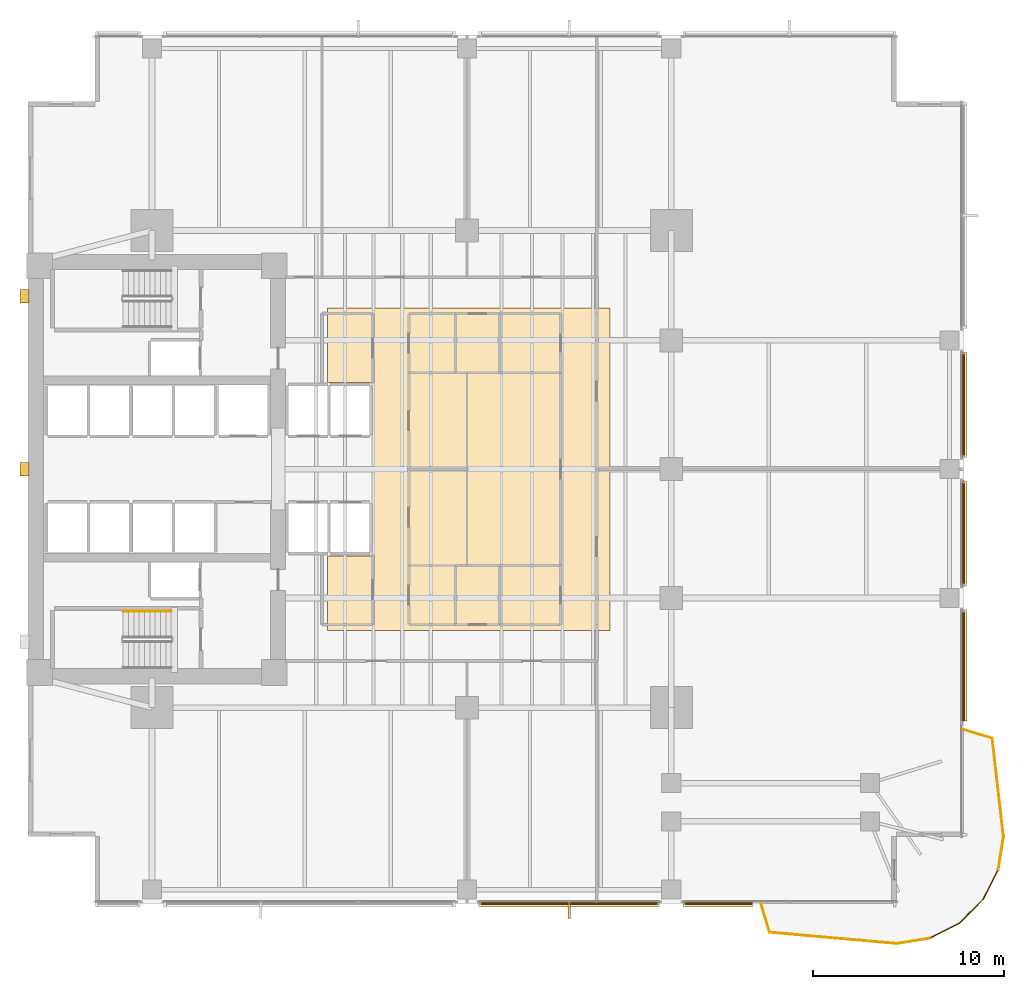
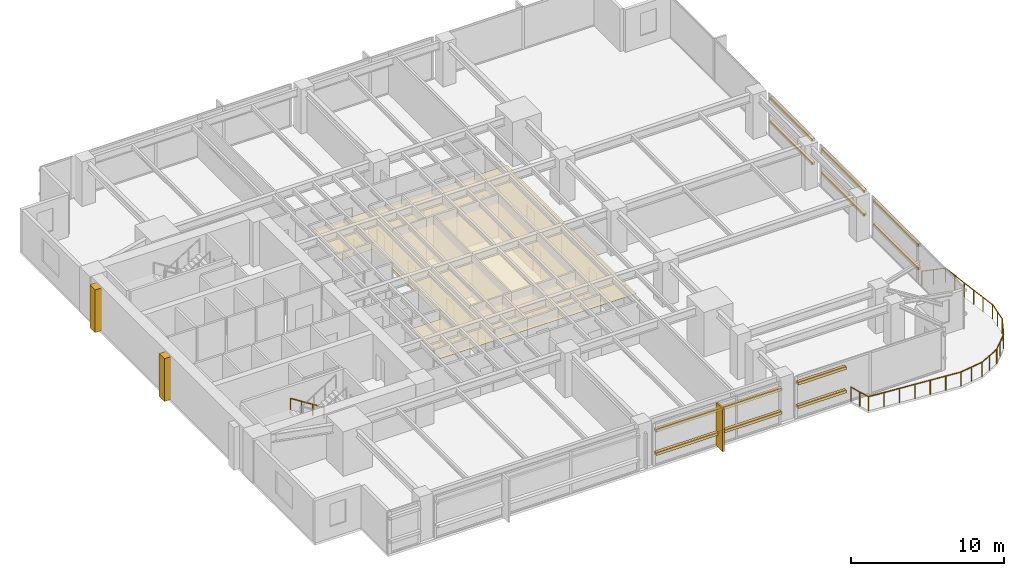
# One storey, part 13 of 15: 14 coverings, 10 railings, 10 shading devices.
"""IFC4 building model written with IfcOpenShell, lengths in metres."""

from ifc_helpers import new_model, si_unit, direction, frame, origin, origin_2d, place, context, subcontext, project, spatial, polyline, rectangle, circle, outline, extrude, material, layer, layer_set, material_profile, profile_set, type_object, element, save


model = new_model("IFC4")

# Units and contexts
model_context = context("Model", 3, precision=1e-05, world=origin(), true_north=direction((0.0, 1.0)))
body_context = subcontext(model_context, "Body", "Model", "MODEL_VIEW")
ifc_project = project(units=[si_unit("LENGTHUNIT", "METRE"), si_unit("AREAUNIT", "SQUARE_METRE"), si_unit("VOLUMEUNIT", "CUBIC_METRE"), si_unit("PLANEANGLEUNIT", "RADIAN"), si_unit("MASSUNIT", "GRAM", prefix="KILO")], contexts=[model_context])

# Site, building, storey
site_placement = place(None, origin())
site = spatial("IfcSite", under=ifc_project, at=site_placement, CompositionType="ELEMENT")
building_placement = place(site_placement, origin())
building = spatial("IfcBuilding", under=site, at=building_placement, Name="Kinhvarn Gate Tower", CompositionType="ELEMENT")
storey_placement = place(building_placement, frame((0.0, 0.0, 39.800048828125)))
storey = spatial("IfcBuildingStorey", under=building, at=storey_placement, Name="L09", CompositionType="ELEMENT", Elevation=39.800048828125)

# Coverings
ifc_material_1 = material(Name="Fired architectural terracotta", Category="masonry")
ifc_layer_1 = layer(ifc_material_1, 0.239990234375)
ifc_layer_set_1 = layer_set([ifc_layer_1], Name="Fired architectural terracotta")
covering_type_1 = type_object("IfcCoveringType", Name="COV-BAG-220", PredefinedType="CLADDING", material=ifc_layer_set_1)
for number, where, name in (
    (1, (0.0, 0.0, 0.93994140625), "Terracotta Horizontal Sunscreen Band TBG-220 (L09)"),
    (2, (0.0, 0.0, 2.81005859375), "Terracotta Horizontal Sunscreen Band TBG-220 (L09)"),
):
    element("IfcCovering", number, at=place(storey_placement, frame(where)), inside=storey, type_object=covering_type_1, Name=name, PredefinedType="CLADDING", context=body_context, shape_type="SweptSolid", body=[
        extrude(outline(polyline([(28.1201171875, 2.56005859375), (37.580078125, 2.56005859375), (37.580078125, 2.320068359375), (28.1201171875, 2.320068359375), (28.1201171875, 2.56005859375)])), origin(), (0.0, 0.0, 1.0), 0.219970703125),
    ])
for number, where, name in (
    (3, (0.0, 0.0, 0.93994140625), "Terracotta Horizontal Sunscreen Band TBG-220 (L09)"),
    (4, (0.0, 0.0, 2.81005859375), "Terracotta Horizontal Sunscreen Band TBG-220 (L09)"),
):
    element("IfcCovering", number, at=place(storey_placement, frame(where)), inside=storey, type_object=covering_type_1, Name=name, PredefinedType="CLADDING", context=body_context, shape_type="SweptSolid", body=[
        extrude(outline(polyline([(38.820068359375, 2.56005859375), (42.450927734375, 2.56005859375), (42.450927734375, 2.320068359375), (38.820068359375, 2.320068359375), (38.820068359375, 2.56005859375)])), origin(), (0.0, 0.0, 1.0), 0.219970703125),
    ])
for number, where, name in (
    (5, (0.0, 0.0, 0.93994140625), "Terracotta Horizontal Sunscreen Band TBG-220 (L09)"),
    (6, (0.0, 0.0, 2.81005859375), "Terracotta Horizontal Sunscreen Band TBG-220 (L09)"),
):
    element("IfcCovering", number, at=place(storey_placement, frame(where)), inside=storey, type_object=covering_type_1, Name=name, PredefinedType="CLADDING", context=body_context, shape_type="SweptSolid", body=[
        extrude(outline(polyline([(53.43994140625, 12.051025390625), (53.43994140625, 17.8798828125), (53.679931640625, 17.8798828125), (53.679931640625, 12.051025390625), (53.43994140625, 12.051025390625)])), origin(), (0.0, 0.0, 1.0), 0.219970703125),
    ])
for number, where, name in (
    (7, (0.0, 0.0, 0.93994140625), "Terracotta Horizontal Sunscreen Band TBG-220 (L09)"),
    (8, (0.0, 0.0, 2.81005859375), "Terracotta Horizontal Sunscreen Band TBG-220 (L09)"),
):
    element("IfcCovering", number, at=place(storey_placement, frame(where)), inside=storey, type_object=covering_type_1, Name=name, PredefinedType="CLADDING", context=body_context, shape_type="SweptSolid", body=[
        extrude(outline(polyline([(53.43994140625, 19.1201171875), (53.43994140625, 24.6298828125), (53.679931640625, 24.6298828125), (53.679931640625, 19.1201171875), (53.43994140625, 19.1201171875)])), origin(), (0.0, 0.0, 1.0), 0.219970703125),
    ])
for number, where, name in (
    (9, (0.0, 0.0, 0.93994140625), "Terracotta Horizontal Sunscreen Band TBG-220 (L09)"),
    (10, (0.0, 0.0, 2.81005859375), "Terracotta Horizontal Sunscreen Band TBG-220 (L09)"),
):
    element("IfcCovering", number, at=place(storey_placement, frame(where)), inside=storey, type_object=covering_type_1, Name=name, PredefinedType="CLADDING", context=body_context, shape_type="SweptSolid", body=[
        extrude(outline(polyline([(53.43994140625, 25.8701171875), (53.43994140625, 31.3798828125), (53.679931640625, 31.3798828125), (53.679931640625, 25.8701171875), (53.43994140625, 25.8701171875)])), origin(), (0.0, 0.0, 1.0), 0.219970703125),
    ])
ifc_material_2 = material(Name="Mineral-fibre acoustic ceiling tile")
ifc_layer_2 = layer(ifc_material_2, 0.02001953125)
ifc_layer_set_2 = layer_set([ifc_layer_2], Name="Mineral-fibre acoustic ceiling tile")
covering_type_2 = type_object("IfcCoveringType", Name="COV-CEIL-20", PredefinedType="CEILING", material=ifc_layer_set_2)
covering_1_placement = place(storey_placement, frame((0.0, 0.0, 2.64990234375)))
element("IfcCovering", 11, at=covering_1_placement, inside=storey, type_object=covering_type_2, Name="Suspended Acoustic Ceiling Tile (L09-1)", PredefinedType="CEILING", context=body_context, shape_type="SweptSolid", body=[
    extrude(outline(polyline([(35.0, 33.699951171875), (35.0, 16.800048828125), (20.199951171875, 16.800048828125), (20.199951171875, 20.699951171875), (22.60009765625, 20.699951171875), (22.60009765625, 29.800048828125), (20.199951171875, 29.800048828125), (20.199951171875, 33.699951171875), (35.0, 33.699951171875)])), origin(), (0.0, 0.0, 1.0), 0.02001953125),
])
ifc_layer_3 = layer(ifc_material_1, 0.139892578125)
ifc_layer_set_3 = layer_set([ifc_layer_3], Name="Fired architectural terracotta")
covering_type_3 = type_object("IfcCoveringType", Name="COV-FIN-850", PredefinedType="CLADDING", material=ifc_layer_set_3)
covering_2_placement = place(storey_placement, frame((0.0, 0.0, -0.02001953125)))
element("IfcCovering", 12, at=covering_2_placement, inside=storey, type_object=covering_type_3, Name="Vertical Terracotta Expressive Fin TFN-850 (L09)", PredefinedType="CLADDING", context=body_context, shape_type="SweptSolid", body=[
    extrude(outline(polyline([(32.780029296875, 2.570068359375), (32.919921875, 2.570068359375), (32.919921875, 1.719970703125), (32.780029296875, 1.719970703125), (32.780029296875, 2.570068359375)])), origin(), (0.0, 0.0, 1.0), 3.409912109375),
])
ifc_material_3 = material(Name="Precast white architectural concrete C40/50", Category="concrete")
ifc_layer_4 = layer(ifc_material_3, 0.47998046875)
ifc_layer_set_4 = layer_set([ifc_layer_4], Name="Precast white architectural concrete C40/50")
covering_type_4 = type_object("IfcCoveringType", Name="COV-RIB-450", PredefinedType="CLADDING", material=ifc_layer_set_4)
covering_3_placement = place(storey_placement, frame((0.0, 0.0, -0.02001953125)))
element("IfcCovering", 13, at=covering_3_placement, inside=storey, type_object=covering_type_4, Name="West Core Sculptural Concrete Relief Rib CRB-450 (L09)", PredefinedType="CLADDING", context=body_context, shape_type="SweptSolid", body=[
    extrude(outline(polyline([(4.080078125, 24.89990234375), (4.56005859375, 24.89990234375), (4.56005859375, 25.60009765625), (4.080078125, 25.60009765625), (4.080078125, 24.89990234375)])), origin(), (0.0, 0.0, 1.0), 3.409912109375),
])
covering_4_placement = place(storey_placement, frame((0.0, 0.0, -0.02001953125)))
element("IfcCovering", 14, at=covering_4_placement, inside=storey, type_object=covering_type_4, Name="West Core Sculptural Concrete Relief Rib CRB-450 (L09)", PredefinedType="CLADDING", context=body_context, shape_type="SweptSolid", body=[
    extrude(outline(polyline([(4.080078125, 33.949951171875), (4.56005859375, 33.949951171875), (4.56005859375, 34.64990234375), (4.080078125, 34.64990234375), (4.080078125, 33.949951171875)])), origin(), (0.0, 0.0, 1.0), 3.409912109375),
])

# Railings
ifc_material_4 = material(Name="Clear low-e double glazing", Category="glass")
railing_type_1 = type_object("IfcRailingType", Name="RL-BAL-1150", PredefinedType="BALUSTRADE", material=ifc_material_4)
railing_1_placement = place(storey_placement, frame((42.90087890625, 2.5, 0.0)))
element("IfcRailing", 15, at=railing_1_placement, inside=storey, type_object=railing_type_1, Name="S-Carve Balcony Guardrail Seg 1 (L09)", PredefinedType="BALUSTRADE", context=body_context, shape_type="SweptSolid", body=[
    extrude(circle(Radius=0.02392578125, at=origin_2d()), frame((0.0, 0.0, 1.1259765625), z_axis=(0.284487519717, -0.958679743775, 0.0), x_axis=(0.958679743775, 0.284487519717, 0.0)), (0.0, 0.0, 1.0), 1.58251953125),
    extrude(circle(Radius=0.02099609375, at=origin_2d()), origin(), (0.0, 0.0, 1.0), 1.101806640625),
    extrude(circle(Radius=0.02099609375, at=origin_2d()), frame((0.22509765625, -0.758544921875, 0.0)), (0.0, 0.0, 1.0), 1.101806640625),
    extrude(circle(Radius=0.02099609375, at=origin_2d()), frame((0.4501953125, -1.51708984375, 0.0)), (0.0, 0.0, 1.0), 1.101806640625),
])
railing_2_placement = place(storey_placement, frame((43.35107421875, 0.98291015625, 0.0)))
element("IfcRailing", 16, at=railing_2_placement, inside=storey, type_object=railing_type_1, Name="S-Carve Balcony Guardrail Seg 2 (L09)", PredefinedType="BALUSTRADE", context=body_context, shape_type="SweptSolid", body=[
    extrude(circle(Radius=0.02392578125, at=origin_2d()), frame((0.0, 0.0, 1.1259765625), z_axis=(0.996088108532, -0.088365604399, 0.0), x_axis=(0.088365604399, 0.996088108532, 0.0)), (0.0, 0.0, 1.0), 6.675048828125),
    extrude(circle(Radius=0.02099609375, at=origin_2d()), origin(), (0.0, 0.0, 1.0), 1.101806640625),
    extrude(circle(Radius=0.02099609375, at=origin_2d()), frame((1.108154296875, -0.098388671875, 0.0)), (0.0, 0.0, 1.0), 1.101806640625),
    extrude(circle(Radius=0.02099609375, at=origin_2d()), frame((2.21630859375, -0.196533203125, 0.0)), (0.0, 0.0, 1.0), 1.101806640625),
    extrude(circle(Radius=0.02099609375, at=origin_2d()), frame((3.324462890625, -0.294921875, 0.0)), (0.0, 0.0, 1.0), 1.101806640625),
    extrude(circle(Radius=0.02099609375, at=origin_2d()), frame((4.4326171875, -0.393310546875, 0.0)), (0.0, 0.0, 1.0), 1.101806640625),
    extrude(circle(Radius=0.02099609375, at=origin_2d()), frame((5.540771484375, -0.491455078125, 0.0)), (0.0, 0.0, 1.0), 1.101806640625),
    extrude(circle(Radius=0.02099609375, at=origin_2d()), frame((6.64892578125, -0.58984375, 0.0)), (0.0, 0.0, 1.0), 1.101806640625),
])
railing_3_placement = place(storey_placement, frame((50.0, 0.39306640625, 0.0)))
element("IfcRailing", 17, at=railing_3_placement, inside=storey, type_object=railing_type_1, Name="S-Carve Balcony Guardrail Seg 3 (L09)", PredefinedType="BALUSTRADE", context=body_context, shape_type="SweptSolid", body=[
    extrude(circle(Radius=0.02392578125, at=origin_2d()), frame((0.0, 0.0, 1.1259765625), z_axis=(0.987689509747, 0.156427083127, 0.0), x_axis=(-0.156427083127, 0.987689509747, 0.0)), (0.0, 0.0, 1.0), 1.754150390625),
    extrude(circle(Radius=0.02099609375, at=origin_2d()), origin(), (0.0, 0.0, 1.0), 1.101806640625),
    extrude(circle(Radius=0.02099609375, at=origin_2d()), frame((0.8662109375, 0.13720703125, 0.0)), (0.0, 0.0, 1.0), 1.101806640625),
    extrude(circle(Radius=0.02099609375, at=origin_2d()), frame((1.732666015625, 0.2744140625, 0.0)), (0.0, 0.0, 1.0), 1.101806640625),
])
railing_4_placement = place(storey_placement, frame((51.732666015625, 0.66748046875, 0.0)))
element("IfcRailing", 18, at=railing_4_placement, inside=storey, type_object=railing_type_1, Name="S-Carve Balcony Guardrail Seg 4 (L09)", PredefinedType="BALUSTRADE", context=body_context, shape_type="SweptSolid", body=[
    extrude(circle(Radius=0.02392578125, at=origin_2d()), frame((0.0, 0.0, 1.1259765625), z_axis=(0.891005506751, 0.453992496567, 0.0), x_axis=(-0.453992496567, 0.891005506751, 0.0)), (0.0, 0.0, 1.0), 1.754150390625),
    extrude(circle(Radius=0.02099609375, at=origin_2d()), origin(), (0.0, 0.0, 1.0), 1.101806640625),
    extrude(circle(Radius=0.02099609375, at=origin_2d()), frame((0.781494140625, 0.398193359375, 0.0)), (0.0, 0.0, 1.0), 1.101806640625),
    extrude(circle(Radius=0.02099609375, at=origin_2d()), frame((1.56298828125, 0.79638671875, 0.0)), (0.0, 0.0, 1.0), 1.101806640625),
])
railing_5_placement = place(storey_placement, frame((53.295654296875, 1.4638671875, 0.0)))
element("IfcRailing", 19, at=railing_5_placement, inside=storey, type_object=railing_type_1, Name="S-Carve Balcony Guardrail Seg 5 (L09)", PredefinedType="BALUSTRADE", context=body_context, shape_type="SweptSolid", body=[
    extrude(circle(Radius=0.02392578125, at=origin_2d()), frame((0.0, 0.0, 1.1259765625), z_axis=(0.707106781187, 0.707106781187, 0.0), x_axis=(-0.707106781187, 0.707106781187, 0.0)), (0.0, 0.0, 1.0), 1.75439453125),
    extrude(circle(Radius=0.02099609375, at=origin_2d()), origin(), (0.0, 0.0, 1.0), 1.101806640625),
    extrude(circle(Radius=0.02099609375, at=origin_2d()), frame((0.6201171875, 0.6201171875, 0.0)), (0.0, 0.0, 1.0), 1.101806640625),
    extrude(circle(Radius=0.02099609375, at=origin_2d()), frame((1.240478515625, 1.240478515625, 0.0)), (0.0, 0.0, 1.0), 1.101806640625),
])
railing_6_placement = place(storey_placement, frame((54.5361328125, 2.704345703125, 0.0)))
element("IfcRailing", 20, at=railing_6_placement, inside=storey, type_object=railing_type_1, Name="S-Carve Balcony Guardrail Seg 6 (L09)", PredefinedType="BALUSTRADE", context=body_context, shape_type="SweptSolid", body=[
    extrude(circle(Radius=0.02392578125, at=origin_2d()), frame((0.0, 0.0, 1.1259765625), z_axis=(0.453992496567, 0.891005506751, 0.0), x_axis=(-0.891005506751, 0.453992496567, 0.0)), (0.0, 0.0, 1.0), 1.754150390625),
    extrude(circle(Radius=0.02099609375, at=origin_2d()), origin(), (0.0, 0.0, 1.0), 1.101806640625),
    extrude(circle(Radius=0.02099609375, at=origin_2d()), frame((0.398193359375, 0.781494140625, 0.0)), (0.0, 0.0, 1.0), 1.101806640625),
    extrude(circle(Radius=0.02099609375, at=origin_2d()), frame((0.79638671875, 1.56298828125, 0.0)), (0.0, 0.0, 1.0), 1.101806640625),
])
railing_7_placement = place(storey_placement, frame((55.33251953125, 4.267333984375, 0.0)))
element("IfcRailing", 21, at=railing_7_placement, inside=storey, type_object=railing_type_1, Name="S-Carve Balcony Guardrail Seg 7 (L09)", PredefinedType="BALUSTRADE", context=body_context, shape_type="SweptSolid", body=[
    extrude(circle(Radius=0.02392578125, at=origin_2d()), frame((0.0, 0.0, 1.1259765625), z_axis=(0.156427083127, 0.987689509747, 0.0), x_axis=(-0.987689509747, 0.156427083127, 0.0)), (0.0, 0.0, 1.0), 1.754150390625),
    extrude(circle(Radius=0.02099609375, at=origin_2d()), origin(), (0.0, 0.0, 1.0), 1.101806640625),
    extrude(circle(Radius=0.02099609375, at=origin_2d()), frame((0.13720703125, 0.8662109375, 0.0)), (0.0, 0.0, 1.0), 1.101806640625),
    extrude(circle(Radius=0.02099609375, at=origin_2d()), frame((0.2744140625, 1.732666015625, 0.0)), (0.0, 0.0, 1.0), 1.101806640625),
])
railing_8_placement = place(storey_placement, frame((55.60693359375, 6.0, 0.0)))
element("IfcRailing", 22, at=railing_8_placement, inside=storey, type_object=railing_type_1, Name="S-Carve Balcony Guardrail Seg 8 (L09)", PredefinedType="BALUSTRADE", context=body_context, shape_type="SweptSolid", body=[
    extrude(circle(Radius=0.02392578125, at=origin_2d()), frame((0.0, 0.0, 1.1259765625), z_axis=(-0.113769706629, 0.993507148366, 0.0), x_axis=(-0.993507148366, -0.113769706629, 0.0)), (0.0, 0.0, 1.0), 5.1845703125),
    extrude(circle(Radius=0.02099609375, at=origin_2d()), origin(), (0.0, 0.0, 1.0), 1.101806640625),
    extrude(circle(Radius=0.02099609375, at=origin_2d()), frame((-0.117919921875, 1.0302734375, 0.0)), (0.0, 0.0, 1.0), 1.101806640625),
    extrude(circle(Radius=0.02099609375, at=origin_2d()), frame((-0.23583984375, 2.060302734375, 0.0)), (0.0, 0.0, 1.0), 1.101806640625),
    extrude(circle(Radius=0.02099609375, at=origin_2d()), frame((-0.35400390625, 3.090576171875, 0.0)), (0.0, 0.0, 1.0), 1.101806640625),
    extrude(circle(Radius=0.02099609375, at=origin_2d()), frame((-0.471923828125, 4.12060546875, 0.0)), (0.0, 0.0, 1.0), 1.101806640625),
    extrude(circle(Radius=0.02099609375, at=origin_2d()), frame((-0.58984375, 5.15087890625, 0.0)), (0.0, 0.0, 1.0), 1.101806640625),
])
railing_9_placement = place(storey_placement, frame((55.01708984375, 11.15087890625, 0.0)))
element("IfcRailing", 23, at=railing_9_placement, inside=storey, type_object=railing_type_1, Name="S-Carve Balcony Guardrail Seg 9 (L09)", PredefinedType="BALUSTRADE", context=body_context, shape_type="SweptSolid", body=[
    extrude(circle(Radius=0.02392578125, at=origin_2d()), frame((0.0, 0.0, 1.1259765625), z_axis=(-0.958679743775, 0.284487519717, 0.0), x_axis=(-0.284487519717, -0.958679743775, 0.0)), (0.0, 0.0, 1.0), 1.58251953125),
    extrude(circle(Radius=0.02099609375, at=origin_2d()), origin(), (0.0, 0.0, 1.0), 1.101806640625),
    extrude(circle(Radius=0.02099609375, at=origin_2d()), frame((-0.758544921875, 0.22509765625, 0.0)), (0.0, 0.0, 1.0), 1.101806640625),
    extrude(circle(Radius=0.02099609375, at=origin_2d()), frame((-1.51708984375, 0.4501953125, 0.0)), (0.0, 0.0, 1.0), 1.101806640625),
])
ifc_material_5 = material(Name="Steel S355", Category="steel")
railing_type_2 = type_object("IfcRailingType", Name="RL-ST-HND", PredefinedType="HANDRAIL", material=ifc_material_5)
railing_10_placement = place(storey_placement, frame((12.0, 17.800048828125, 0.177490234375)))
element("IfcRailing", 24, at=railing_10_placement, inside=storey, type_object=railing_type_2, Name="L09 ST1 stair handrail 1", PredefinedType="HANDRAIL", context=body_context, shape_type="SweptSolid", body=[
    extrude(circle(Radius=0.02392578125, at=origin_2d()), frame((0.0, 0.0, 0.8759765625), z_axis=(-0.84460694969, 0.0, 0.535386869969), x_axis=(0.0, -1.0, 0.0)), (0.0, 0.0, 1.0), 2.983642578125),
    extrude(circle(Radius=0.02099609375, at=origin_2d()), origin(), (0.0, 0.0, 1.0), 0.851806640625),
    extrude(circle(Radius=0.02099609375, at=origin_2d()), frame((-0.840087890625, 0.0, 0.532470703125)), (0.0, 0.0, 1.0), 0.851806640625),
    extrude(circle(Radius=0.02099609375, at=origin_2d()), frame((-1.679931640625, 0.0, 1.06494140625)), (0.0, 0.0, 1.0), 0.851806640625),
    extrude(circle(Radius=0.02099609375, at=origin_2d()), frame((-2.52001953125, 0.0, 1.597412109375)), (0.0, 0.0, 1.0), 0.851806640625),
])

# Shading devices
ifc_material_profile = material_profile(ifc_material_1, rectangle(XDim=0.06005859375, YDim=0.139892578125, at=origin_2d()), Name="TC 60x140")
ifc_profile_set = profile_set([ifc_material_profile], Name="Fired architectural terracotta")
shading_device_type = type_object("IfcShadingDeviceType", Name="SHD-BAG-180", PredefinedType="USERDEFINED", material=ifc_profile_set)
for number, where, z_axis, x_axis, name in (
    (25, (28.1201171875, 2.485107421875, 1.050048828125), (1.0, 0.0, 0.0), (0.0, 1.0, 0.0), "Fired Terracotta Baguette Screen Rod 60x140 mm (L09)"),
    (26, (28.1201171875, 2.485107421875, 2.919921875), (1.0, 0.0, 0.0), (0.0, 1.0, 0.0), "Fired Terracotta Baguette Screen Rod 60x140 mm (L09)"),
):
    element("IfcShadingDevice", number, at=place(storey_placement, frame(where, z_axis=z_axis, x_axis=x_axis)), inside=storey, type_object=shading_device_type, Name=name, ObjectType="BAGUETTE", PredefinedType="USERDEFINED", context=body_context, shape_type="SweptSolid", body=[
        extrude(rectangle(XDim=0.06005859375, YDim=0.139892578125, at=origin_2d()), origin(), (0.0, 0.0, 1.0), 9.4599609375),
    ])
for number, where, z_axis, x_axis, name in (
    (27, (38.820068359375, 2.485107421875, 1.050048828125), (1.0, 0.0, 0.0), (0.0, 1.0, 0.0), "Fired Terracotta Baguette Screen Rod 60x140 mm (L09)"),
    (28, (38.820068359375, 2.485107421875, 2.919921875), (1.0, 0.0, 0.0), (0.0, 1.0, 0.0), "Fired Terracotta Baguette Screen Rod 60x140 mm (L09)"),
):
    element("IfcShadingDevice", number, at=place(storey_placement, frame(where, z_axis=z_axis, x_axis=x_axis)), inside=storey, type_object=shading_device_type, Name=name, ObjectType="BAGUETTE", PredefinedType="USERDEFINED", context=body_context, shape_type="SweptSolid", body=[
        extrude(rectangle(XDim=0.06005859375, YDim=0.139892578125, at=origin_2d()), origin(), (0.0, 0.0, 1.0), 3.630859375),
    ])
for number, where, z_axis, x_axis, name in (
    (29, (53.514892578125, 12.051025390625, 1.050048828125), (0.0, 1.0, 0.0), (-1.0, 0.0, 0.0), "Fired Terracotta Baguette Screen Rod 60x140 mm (L09)"),
    (30, (53.514892578125, 12.051025390625, 2.919921875), (0.0, 1.0, 0.0), (-1.0, 0.0, 0.0), "Fired Terracotta Baguette Screen Rod 60x140 mm (L09)"),
):
    element("IfcShadingDevice", number, at=place(storey_placement, frame(where, z_axis=z_axis, x_axis=x_axis)), inside=storey, type_object=shading_device_type, Name=name, ObjectType="BAGUETTE", PredefinedType="USERDEFINED", context=body_context, shape_type="SweptSolid", body=[
        extrude(rectangle(XDim=0.06005859375, YDim=0.139892578125, at=origin_2d()), origin(), (0.0, 0.0, 1.0), 5.828857421875),
    ])
for number, where, z_axis, x_axis, name in (
    (31, (53.514892578125, 19.1201171875, 1.050048828125), (0.0, 1.0, 0.0), (-1.0, 0.0, 0.0), "Fired Terracotta Baguette Screen Rod 60x140 mm (L09)"),
    (32, (53.514892578125, 19.1201171875, 2.919921875), (0.0, 1.0, 0.0), (-1.0, 0.0, 0.0), "Fired Terracotta Baguette Screen Rod 60x140 mm (L09)"),
    (33, (53.514892578125, 25.8701171875, 1.050048828125), (0.0, 1.0, 0.0), (-1.0, 0.0, 0.0), "Fired Terracotta Baguette Screen Rod 60x140 mm (L09)"),
    (34, (53.514892578125, 25.8701171875, 2.919921875), (0.0, 1.0, 0.0), (-1.0, 0.0, 0.0), "Fired Terracotta Baguette Screen Rod 60x140 mm (L09)"),
):
    element("IfcShadingDevice", number, at=place(storey_placement, frame(where, z_axis=z_axis, x_axis=x_axis)), inside=storey, type_object=shading_device_type, Name=name, ObjectType="BAGUETTE", PredefinedType="USERDEFINED", context=body_context, shape_type="SweptSolid", body=[
        extrude(rectangle(XDim=0.06005859375, YDim=0.139892578125, at=origin_2d()), origin(), (0.0, 0.0, 1.0), 5.509765625),
    ])

save(model, "model.ifc")
